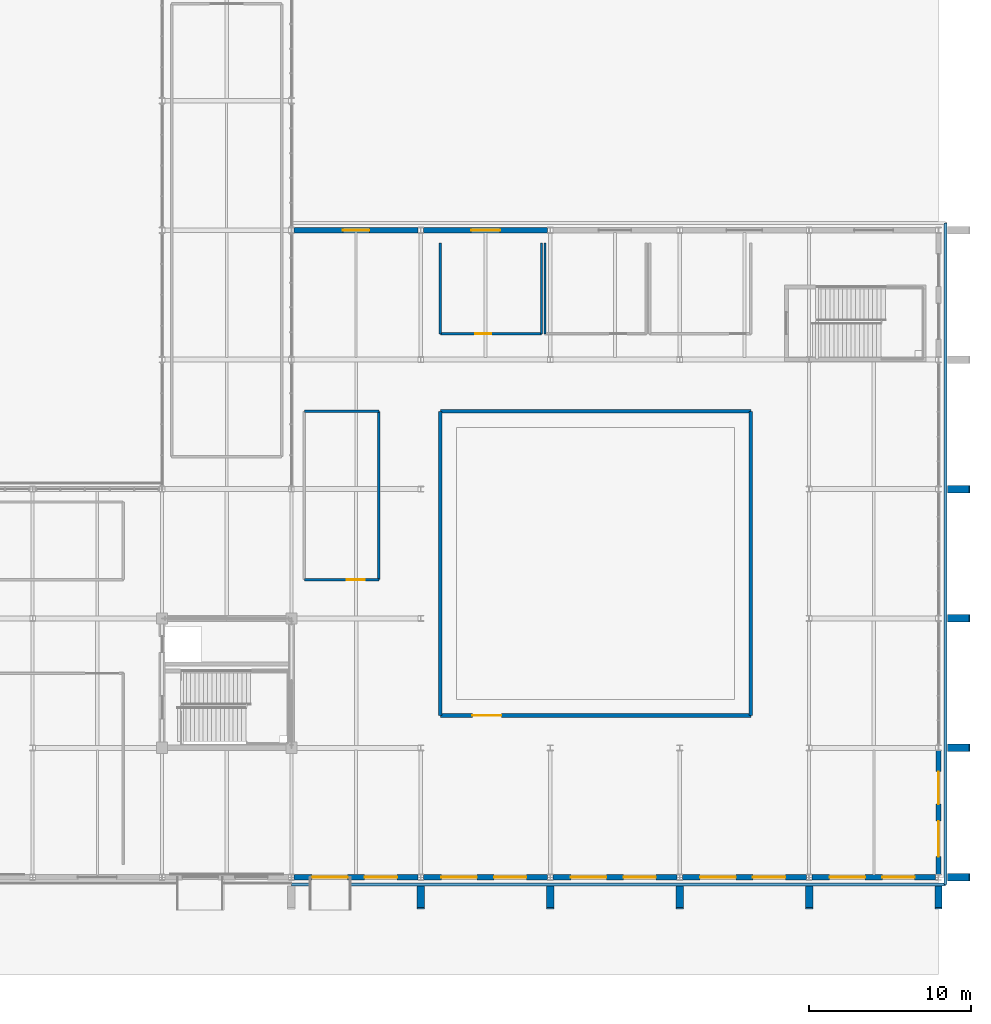
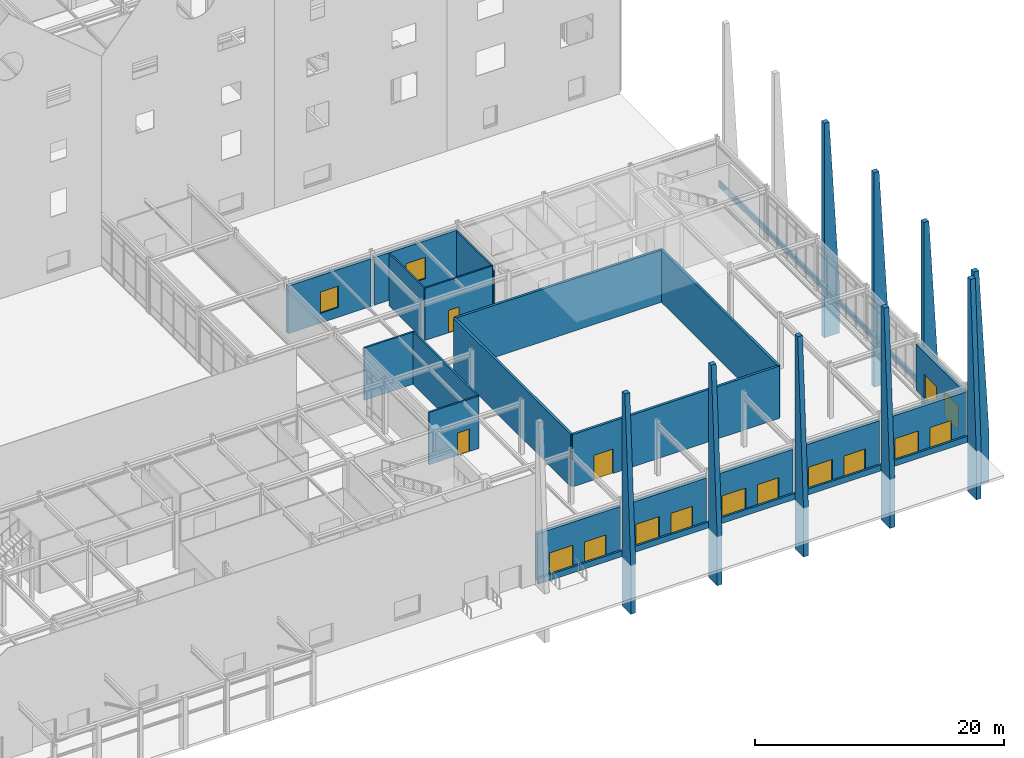
# One storey, part 96 of 119: 30 walls, 15 doors, 2 windows, 17 openings.
"""IFC4 building model written with IfcOpenShell, lengths in metres."""

from ifc_helpers import new_model, si_unit, direction, frame, frame_2d, origin, place, context, subcontext, project, spatial, polyline, rectangle, outline, extrude, material, layer, layer_set, type_object, element, fill, save


model = new_model("IFC4")

# Units and contexts
model_context = context("Model", 3, precision=1e-05, world=origin(), true_north=direction((0.0, 1.0)))
body_context = subcontext(model_context, "Body", "Model", "MODEL_VIEW")
ifc_project = project(units=[si_unit("LENGTHUNIT", "METRE"), si_unit("AREAUNIT", "SQUARE_METRE"), si_unit("VOLUMEUNIT", "CUBIC_METRE"), si_unit("PLANEANGLEUNIT", "RADIAN"), si_unit("MASSUNIT", "GRAM", prefix="KILO")], contexts=[model_context])

# Site, building, storey
site_placement = place(None, origin())
site = spatial("IfcSite", under=ifc_project, at=site_placement, CompositionType="ELEMENT")
building_placement = place(site_placement, origin())
building = spatial("IfcBuilding", under=site, at=building_placement, Name="Zhaolan Boulevard Law Courts", CompositionType="ELEMENT")
storey_placement = place(building_placement, origin())
storey = spatial("IfcBuildingStorey", under=building, at=storey_placement, Name="L00", CompositionType="ELEMENT", Elevation=0.0)

# Walls
ifc_material_1 = material(Name="Concrete C40", Category="concrete")
ifc_layer_1 = layer(ifc_material_1, 0.179931640625)
ifc_layer_set_1 = layer_set([ifc_layer_1])
wall_type_1 = type_object("IfcWallType", Name="EXT WALL ARCH CLAD180", PredefinedType="SOLIDWALL", material=ifc_layer_set_1)
wall_1_placement = place(storey_placement, frame((124.0, 5.56005859375, 0.0), z_axis=(0.0, 0.0, 1.0), x_axis=(1.0, 0.0, 0.0)))
element("IfcWall", 1, at=wall_1_placement, inside=storey, type_object=wall_type_1, Name="Architectural Concrete Spandrel Band CBW-001", PredefinedType="SOLIDWALL", context=body_context, shape_type="SweptSolid", body=[
    extrude(rectangle(XDim=40.43994140625, YDim=0.179931640625, at=frame_2d((20.219970703125, 0.0))), origin(), (0.0, 0.0, 1.0), 0.580078125),
])
wall_2_placement = place(storey_placement, frame((164.43994140625, 5.56005859375, 0.0), z_axis=(0.0, 0.0, 1.0), x_axis=(0.0, 1.0, 0.0)))
element("IfcWall", 2, at=wall_2_placement, inside=storey, type_object=wall_type_1, Name="Architectural Concrete Spandrel Band CBW-004", PredefinedType="SOLIDWALL", context=body_context, shape_type="SweptSolid", body=[
    extrude(rectangle(XDim=40.8798828125, YDim=0.179931640625, at=frame_2d((20.43994140625, 0.0))), origin(), (0.0, 0.0, 1.0), 0.580078125),
])
ifc_material_2 = material(Name="Concrete C40", Category="concrete")
ifc_layer_2 = layer(ifc_material_2, 0.4599609375)
ifc_layer_set_2 = layer_set([ifc_layer_2])
wall_type_2 = type_object("IfcWallType", Name="EXT WALL BUTTRESS460", PredefinedType="SOLIDWALL", material=ifc_layer_set_2)
for number, where, z_axis, x_axis, name in (
    (3, (132.0, 5.449951171875, -4.800048828125), (0.0, 0.0, 1.0), (0.0, -1.0, 0.0), "Sculpted Battered Concrete Buttress BTR-011"),
    (4, (140.0, 5.449951171875, -4.800048828125), (0.0, 0.0, 1.0), (0.0, -1.0, 0.0), "Sculpted Battered Concrete Buttress BTR-012"),
    (5, (148.0, 5.449951171875, -4.800048828125), (0.0, 0.0, 1.0), (0.0, -1.0, 0.0), "Sculpted Battered Concrete Buttress BTR-013"),
    (6, (156.0, 5.449951171875, -4.800048828125), (0.0, 0.0, 1.0), (0.0, -1.0, 0.0), "Sculpted Battered Concrete Buttress BTR-014"),
    (7, (164.0, 5.449951171875, -4.800048828125), (0.0, 0.0, 1.0), (0.0, -1.0, 0.0), "Sculpted Battered Concrete Buttress BTR-015"),
    (8, (164.550048828125, 6.0, -4.800048828125), (0.0, 0.0, 1.0), (1.0, 0.0, 0.0), "Sculpted Battered Concrete Buttress BTR-016"),
    (9, (164.550048828125, 14.0, -4.800048828125), (0.0, 0.0, 1.0), (1.0, 0.0, 0.0), "Sculpted Battered Concrete Buttress BTR-017"),
    (10, (164.550048828125, 22.0, -4.800048828125), (0.0, 0.0, 1.0), (1.0, 0.0, 0.0), "Sculpted Battered Concrete Buttress BTR-018"),
    (11, (164.550048828125, 30.0, -4.800048828125), (0.0, 0.0, 1.0), (1.0, 0.0, 0.0), "Sculpted Battered Concrete Buttress BTR-019"),
):
    element("IfcWall", number, at=place(storey_placement, frame(where, z_axis=z_axis, x_axis=x_axis)), inside=storey, type_object=wall_type_2, Name=name, PredefinedType="SOLIDWALL", context=body_context, shape_type="SweptSolid", body=[
        extrude(outline(polyline([(0.0, 0.0), (1.39990234375, 0.0), (1.39990234375, 4.800048828125), (0.449951171875, 21.0), (0.0, 21.0), (0.0, 0.0)])), frame((0.0, 0.22998046875, 0.0), z_axis=(0.0, -1.0, 0.0), x_axis=(1.0, 0.0, 0.0)), (0.0, 0.0, 1.0), 0.4599609375),
    ])

# Wall, openings, doors
ifc_material_3 = material(Name="Concrete C40", Category="concrete")
ifc_layer_3 = layer(ifc_material_3, 0.320068359375)
ifc_layer_set_3 = layer_set([ifc_layer_3])
wall_type_3 = type_object("IfcWallType", Name="EXT WALL CONCRETE320", PredefinedType="SOLIDWALL", material=ifc_layer_set_3)
wall_3_placement = place(storey_placement, frame((124.1708984375, 6.0, 0.0), z_axis=(0.0, 0.0, 1.0), x_axis=(1.0, 0.0, 0.0)))
wall_3 = element("IfcWall", 12, at=wall_3_placement, inside=storey, type_object=wall_type_3, Name="Exterior Wall EW-L00-143", PredefinedType="SOLIDWALL", context=body_context, shape_type="SweptSolid", body=[
    extrude(rectangle(XDim=7.658203125, YDim=0.320068359375, at=frame_2d((3.8291015625, 0.0))), origin(), (0.0, 0.0, 1.0), 4.6630859375),
])
opening_1_placement = place(wall_3_placement, frame((1.09912109375, 0.0, 0.0)))
opening_1 = element("IfcOpeningElement", 13, at=opening_1_placement, cuts=wall_3, Name="Opening ED-25", PredefinedType="OPENING", context=body_context, shape_type="SweptSolid", body=[
    extrude(rectangle(XDim=2.199951171875, YDim=2.39990234375, at=frame_2d((1.10009765625, 1.199951171875))), frame((0.0, 0.169921875, 0.0), z_axis=(0.0, -1.0, 0.0), x_axis=(1.0, 0.0, 0.0)), (0.0, 0.0, 1.0), 0.340087890625),
])
opening_2_placement = place(wall_3_placement, frame((4.35888671875, 0.0, 0.0)))
opening_2 = element("IfcOpeningElement", 14, at=opening_2_placement, cuts=wall_3, Name="Opening ED-26", PredefinedType="OPENING", context=body_context, shape_type="SweptSolid", body=[
    extrude(rectangle(XDim=2.0, YDim=2.35009765625, at=frame_2d((1.0, 1.175048828125))), frame((0.0, 0.169921875, 0.0), z_axis=(0.0, -1.0, 0.0), x_axis=(1.0, 0.0, 0.0)), (0.0, 0.0, 1.0), 0.340087890625),
])
ifc_material_4 = material(Name="Insulated powder-coated steel and safety glass", Category="steel")
door_type_1 = type_object("IfcDoorType", Name="EXIT DOOR 2000X2350 R", OperationType="DOUBLE_DOOR_SINGLE_SWING", PredefinedType="DOOR", material=ifc_material_4)
door_1_placement = place(opening_2_placement, origin())
door_1 = element("IfcDoor", 15, at=door_1_placement, inside=storey, type_object=door_type_1, Name="Pedestrian Final Exit Door ED-26", OperationType="DOUBLE_DOOR_SINGLE_SWING", OverallHeight=2.35009765625, OverallWidth=2.0, PredefinedType="DOOR", context=body_context, shape_type="SweptSolid", body=[
    extrude(rectangle(XDim=2.0, YDim=2.35009765625, at=frame_2d((1.0, 1.175048828125))), frame((0.0, 0.02490234375, 0.0), z_axis=(0.0, -1.0, 0.0), x_axis=(1.0, 0.0, 0.0)), (0.0, 0.0, 1.0), 0.050048828125),
])
fill(opening_2, door_1)
ifc_material_5 = material(Name="Insulated powder-coated steel and safety glass", Category="steel")
door_type_2 = type_object("IfcDoorType", Name="EXIT DOOR 2200X2400 L", OperationType="DOUBLE_DOOR_SINGLE_SWING", PredefinedType="DOOR", material=ifc_material_5)
door_2_placement = place(opening_1_placement, origin())
door_2 = element("IfcDoor", 16, at=door_2_placement, inside=storey, type_object=door_type_2, Name="Pedestrian Final Exit Door ED-25", OperationType="DOUBLE_DOOR_SINGLE_SWING", OverallHeight=2.39990234375, OverallWidth=2.199951171875, PredefinedType="DOOR", context=body_context, shape_type="SweptSolid", body=[
    extrude(rectangle(XDim=2.199951171875, YDim=2.39990234375, at=frame_2d((1.10009765625, 1.199951171875))), frame((0.0, 0.02490234375, 0.0), z_axis=(0.0, -1.0, 0.0), x_axis=(1.0, 0.0, 0.0)), (0.0, 0.0, 1.0), 0.050048828125),
])
fill(opening_1, door_2)

wall_4_placement = place(storey_placement, frame((132.1708984375, 6.0, 0.0), z_axis=(0.0, 0.0, 1.0), x_axis=(1.0, 0.0, 0.0)))
wall_4 = element("IfcWall", 17, at=wall_4_placement, inside=storey, type_object=wall_type_3, Name="Exterior Wall EW-L00-144", PredefinedType="SOLIDWALL", context=body_context, shape_type="SweptSolid", body=[
    extrude(rectangle(XDim=7.658203125, YDim=0.320068359375, at=frame_2d((3.8291015625, 0.0))), origin(), (0.0, 0.0, 1.0), 4.6630859375),
])
opening_3_placement = place(wall_4_placement, frame((1.09912109375, 0.0, 0.0)))
opening_3 = element("IfcOpeningElement", 18, at=opening_3_placement, cuts=wall_4, Name="Opening ED-27", PredefinedType="OPENING", context=body_context, shape_type="SweptSolid", body=[
    extrude(rectangle(XDim=2.199951171875, YDim=2.39990234375, at=frame_2d((1.10009765625, 1.199951171875))), frame((0.0, 0.169921875, 0.0), z_axis=(0.0, -1.0, 0.0), x_axis=(1.0, 0.0, 0.0)), (0.0, 0.0, 1.0), 0.340087890625),
])
opening_4_placement = place(wall_4_placement, frame((4.35888671875, 0.0, 0.0)))
opening_4 = element("IfcOpeningElement", 19, at=opening_4_placement, cuts=wall_4, Name="Opening ED-28", PredefinedType="OPENING", context=body_context, shape_type="SweptSolid", body=[
    extrude(rectangle(XDim=2.0, YDim=2.35009765625, at=frame_2d((1.0, 1.175048828125))), frame((0.0, 0.169921875, 0.0), z_axis=(0.0, -1.0, 0.0), x_axis=(1.0, 0.0, 0.0)), (0.0, 0.0, 1.0), 0.340087890625),
])
door_3_placement = place(opening_4_placement, origin())
door_3 = element("IfcDoor", 20, at=door_3_placement, inside=storey, type_object=door_type_1, Name="Pedestrian Final Exit Door ED-28", OperationType="DOUBLE_DOOR_SINGLE_SWING", OverallHeight=2.35009765625, OverallWidth=2.0, PredefinedType="DOOR", context=body_context, shape_type="SweptSolid", body=[
    extrude(rectangle(XDim=2.0, YDim=2.35009765625, at=frame_2d((1.0, 1.175048828125))), frame((0.0, 0.02490234375, 0.0), z_axis=(0.0, -1.0, 0.0), x_axis=(1.0, 0.0, 0.0)), (0.0, 0.0, 1.0), 0.050048828125),
])
fill(opening_4, door_3)
door_4_placement = place(opening_3_placement, origin())
door_4 = element("IfcDoor", 21, at=door_4_placement, inside=storey, type_object=door_type_2, Name="Pedestrian Final Exit Door ED-27", OperationType="DOUBLE_DOOR_SINGLE_SWING", OverallHeight=2.39990234375, OverallWidth=2.199951171875, PredefinedType="DOOR", context=body_context, shape_type="SweptSolid", body=[
    extrude(rectangle(XDim=2.199951171875, YDim=2.39990234375, at=frame_2d((1.10009765625, 1.199951171875))), frame((0.0, 0.02490234375, 0.0), z_axis=(0.0, -1.0, 0.0), x_axis=(1.0, 0.0, 0.0)), (0.0, 0.0, 1.0), 0.050048828125),
])
fill(opening_3, door_4)

wall_5_placement = place(storey_placement, frame((140.1708984375, 6.0, 0.0), z_axis=(0.0, 0.0, 1.0), x_axis=(1.0, 0.0, 0.0)))
wall_5 = element("IfcWall", 22, at=wall_5_placement, inside=storey, type_object=wall_type_3, Name="Exterior Wall EW-L00-145", PredefinedType="SOLIDWALL", context=body_context, shape_type="SweptSolid", body=[
    extrude(rectangle(XDim=7.658203125, YDim=0.320068359375, at=frame_2d((3.8291015625, 0.0))), origin(), (0.0, 0.0, 1.0), 4.6630859375),
])
opening_5_placement = place(wall_5_placement, frame((1.09912109375, 0.0, 0.0)))
opening_5 = element("IfcOpeningElement", 23, at=opening_5_placement, cuts=wall_5, Name="Opening ED-29", PredefinedType="OPENING", context=body_context, shape_type="SweptSolid", body=[
    extrude(rectangle(XDim=2.199951171875, YDim=2.39990234375, at=frame_2d((1.10009765625, 1.199951171875))), frame((0.0, 0.169921875, 0.0), z_axis=(0.0, -1.0, 0.0), x_axis=(1.0, 0.0, 0.0)), (0.0, 0.0, 1.0), 0.340087890625),
])
opening_6_placement = place(wall_5_placement, frame((4.35888671875, 0.0, 0.0)))
opening_6 = element("IfcOpeningElement", 24, at=opening_6_placement, cuts=wall_5, Name="Opening ED-30", PredefinedType="OPENING", context=body_context, shape_type="SweptSolid", body=[
    extrude(rectangle(XDim=2.0, YDim=2.35009765625, at=frame_2d((1.0, 1.175048828125))), frame((0.0, 0.169921875, 0.0), z_axis=(0.0, -1.0, 0.0), x_axis=(1.0, 0.0, 0.0)), (0.0, 0.0, 1.0), 0.340087890625),
])
door_5_placement = place(opening_6_placement, origin())
door_5 = element("IfcDoor", 25, at=door_5_placement, inside=storey, type_object=door_type_1, Name="Pedestrian Final Exit Door ED-30", OperationType="DOUBLE_DOOR_SINGLE_SWING", OverallHeight=2.35009765625, OverallWidth=2.0, PredefinedType="DOOR", context=body_context, shape_type="SweptSolid", body=[
    extrude(rectangle(XDim=2.0, YDim=2.35009765625, at=frame_2d((1.0, 1.175048828125))), frame((0.0, 0.02490234375, 0.0), z_axis=(0.0, -1.0, 0.0), x_axis=(1.0, 0.0, 0.0)), (0.0, 0.0, 1.0), 0.050048828125),
])
fill(opening_6, door_5)
door_6_placement = place(opening_5_placement, origin())
door_6 = element("IfcDoor", 26, at=door_6_placement, inside=storey, type_object=door_type_2, Name="Pedestrian Final Exit Door ED-29", OperationType="DOUBLE_DOOR_SINGLE_SWING", OverallHeight=2.39990234375, OverallWidth=2.199951171875, PredefinedType="DOOR", context=body_context, shape_type="SweptSolid", body=[
    extrude(rectangle(XDim=2.199951171875, YDim=2.39990234375, at=frame_2d((1.10009765625, 1.199951171875))), frame((0.0, 0.02490234375, 0.0), z_axis=(0.0, -1.0, 0.0), x_axis=(1.0, 0.0, 0.0)), (0.0, 0.0, 1.0), 0.050048828125),
])
fill(opening_5, door_6)

wall_6_placement = place(storey_placement, frame((148.1708984375, 6.0, 0.0), z_axis=(0.0, 0.0, 1.0), x_axis=(1.0, 0.0, 0.0)))
wall_6 = element("IfcWall", 27, at=wall_6_placement, inside=storey, type_object=wall_type_3, Name="Exterior Wall EW-L00-146", PredefinedType="SOLIDWALL", context=body_context, shape_type="SweptSolid", body=[
    extrude(rectangle(XDim=7.658203125, YDim=0.320068359375, at=frame_2d((3.8291015625, 0.0))), origin(), (0.0, 0.0, 1.0), 4.6630859375),
])
opening_7_placement = place(wall_6_placement, frame((1.09912109375, 0.0, 0.0)))
opening_7 = element("IfcOpeningElement", 28, at=opening_7_placement, cuts=wall_6, Name="Opening ED-31", PredefinedType="OPENING", context=body_context, shape_type="SweptSolid", body=[
    extrude(rectangle(XDim=2.199951171875, YDim=2.39990234375, at=frame_2d((1.10009765625, 1.199951171875))), frame((0.0, 0.169921875, 0.0), z_axis=(0.0, -1.0, 0.0), x_axis=(1.0, 0.0, 0.0)), (0.0, 0.0, 1.0), 0.340087890625),
])
opening_8_placement = place(wall_6_placement, frame((4.35888671875, 0.0, 0.0)))
opening_8 = element("IfcOpeningElement", 29, at=opening_8_placement, cuts=wall_6, Name="Opening ED-32", PredefinedType="OPENING", context=body_context, shape_type="SweptSolid", body=[
    extrude(rectangle(XDim=2.0, YDim=2.35009765625, at=frame_2d((1.0, 1.175048828125))), frame((0.0, 0.169921875, 0.0), z_axis=(0.0, -1.0, 0.0), x_axis=(1.0, 0.0, 0.0)), (0.0, 0.0, 1.0), 0.340087890625),
])
door_7_placement = place(opening_8_placement, origin())
door_7 = element("IfcDoor", 30, at=door_7_placement, inside=storey, type_object=door_type_1, Name="Pedestrian Final Exit Door ED-32", OperationType="DOUBLE_DOOR_SINGLE_SWING", OverallHeight=2.35009765625, OverallWidth=2.0, PredefinedType="DOOR", context=body_context, shape_type="SweptSolid", body=[
    extrude(rectangle(XDim=2.0, YDim=2.35009765625, at=frame_2d((1.0, 1.175048828125))), frame((0.0, 0.02490234375, 0.0), z_axis=(0.0, -1.0, 0.0), x_axis=(1.0, 0.0, 0.0)), (0.0, 0.0, 1.0), 0.050048828125),
])
fill(opening_8, door_7)
door_8_placement = place(opening_7_placement, origin())
door_8 = element("IfcDoor", 31, at=door_8_placement, inside=storey, type_object=door_type_2, Name="Pedestrian Final Exit Door ED-31", OperationType="DOUBLE_DOOR_SINGLE_SWING", OverallHeight=2.39990234375, OverallWidth=2.199951171875, PredefinedType="DOOR", context=body_context, shape_type="SweptSolid", body=[
    extrude(rectangle(XDim=2.199951171875, YDim=2.39990234375, at=frame_2d((1.10009765625, 1.199951171875))), frame((0.0, 0.02490234375, 0.0), z_axis=(0.0, -1.0, 0.0), x_axis=(1.0, 0.0, 0.0)), (0.0, 0.0, 1.0), 0.050048828125),
])
fill(opening_7, door_8)

wall_7_placement = place(storey_placement, frame((156.1708984375, 6.0, 0.0), z_axis=(0.0, 0.0, 1.0), x_axis=(1.0, 0.0, 0.0)))
wall_7 = element("IfcWall", 32, at=wall_7_placement, inside=storey, type_object=wall_type_3, Name="Exterior Wall EW-L00-147", PredefinedType="SOLIDWALL", context=body_context, shape_type="SweptSolid", body=[
    extrude(rectangle(XDim=7.658203125, YDim=0.320068359375, at=frame_2d((3.8291015625, 0.0))), origin(), (0.0, 0.0, 1.0), 4.6630859375),
])
opening_9_placement = place(wall_7_placement, frame((1.09912109375, 0.0, 0.0)))
opening_9 = element("IfcOpeningElement", 33, at=opening_9_placement, cuts=wall_7, Name="Opening ED-33", PredefinedType="OPENING", context=body_context, shape_type="SweptSolid", body=[
    extrude(rectangle(XDim=2.199951171875, YDim=2.39990234375, at=frame_2d((1.10009765625, 1.199951171875))), frame((0.0, 0.169921875, 0.0), z_axis=(0.0, -1.0, 0.0), x_axis=(1.0, 0.0, 0.0)), (0.0, 0.0, 1.0), 0.340087890625),
])
opening_10_placement = place(wall_7_placement, frame((4.35888671875, 0.0, 0.0)))
opening_10 = element("IfcOpeningElement", 34, at=opening_10_placement, cuts=wall_7, Name="Opening ED-34", PredefinedType="OPENING", context=body_context, shape_type="SweptSolid", body=[
    extrude(rectangle(XDim=2.0, YDim=2.35009765625, at=frame_2d((1.0, 1.175048828125))), frame((0.0, 0.169921875, 0.0), z_axis=(0.0, -1.0, 0.0), x_axis=(1.0, 0.0, 0.0)), (0.0, 0.0, 1.0), 0.340087890625),
])
door_9_placement = place(opening_10_placement, origin())
door_9 = element("IfcDoor", 35, at=door_9_placement, inside=storey, type_object=door_type_1, Name="Pedestrian Final Exit Door ED-34", OperationType="DOUBLE_DOOR_SINGLE_SWING", OverallHeight=2.35009765625, OverallWidth=2.0, PredefinedType="DOOR", context=body_context, shape_type="SweptSolid", body=[
    extrude(rectangle(XDim=2.0, YDim=2.35009765625, at=frame_2d((1.0, 1.175048828125))), frame((0.0, 0.02490234375, 0.0), z_axis=(0.0, -1.0, 0.0), x_axis=(1.0, 0.0, 0.0)), (0.0, 0.0, 1.0), 0.050048828125),
])
fill(opening_10, door_9)
door_10_placement = place(opening_9_placement, origin())
door_10 = element("IfcDoor", 36, at=door_10_placement, inside=storey, type_object=door_type_2, Name="Pedestrian Final Exit Door ED-33", OperationType="DOUBLE_DOOR_SINGLE_SWING", OverallHeight=2.39990234375, OverallWidth=2.199951171875, PredefinedType="DOOR", context=body_context, shape_type="SweptSolid", body=[
    extrude(rectangle(XDim=2.199951171875, YDim=2.39990234375, at=frame_2d((1.10009765625, 1.199951171875))), frame((0.0, 0.02490234375, 0.0), z_axis=(0.0, -1.0, 0.0), x_axis=(1.0, 0.0, 0.0)), (0.0, 0.0, 1.0), 0.050048828125),
])
fill(opening_9, door_10)

# Wall, opening, window
wall_8_placement = place(storey_placement, frame((131.8291015625, 46.0, 0.0), z_axis=(0.0, 0.0, 1.0), x_axis=(-1.0, 0.0, 0.0)))
wall_8 = element("IfcWall", 37, at=wall_8_placement, inside=storey, type_object=wall_type_3, Name="Exterior Wall EW-L00-148", PredefinedType="SOLIDWALL", context=body_context, shape_type="SweptSolid", body=[
    extrude(rectangle(XDim=7.658203125, YDim=0.320068359375, at=frame_2d((3.8291015625, 0.0))), origin(), (0.0, 0.0, 1.0), 4.6630859375),
])
opening_11_placement = place(wall_8_placement, frame((3.00390625, 0.0, 0.949951171875)))
opening_11 = element("IfcOpeningElement", 38, at=opening_11_placement, cuts=wall_8, Name="Opening WIN-L00-011", PredefinedType="OPENING", context=body_context, shape_type="SweptSolid", body=[
    extrude(rectangle(XDim=1.64990234375, YDim=2.10009765625, at=frame_2d((0.824951171875, 1.050048828125))), frame((0.0, 0.169921875, 0.0), z_axis=(0.0, -1.0, 0.0), x_axis=(1.0, 0.0, 0.0)), (0.0, 0.0, 1.0), 0.340087890625),
])
ifc_material_6 = material(Name="Thermally broken aluminium and low-E glazing", Category="aluminium")
window_type_1 = type_object("IfcWindowType", Name="WINDOW 1650X2100", PartitioningType="SINGLE_PANEL", PredefinedType="WINDOW", material=ifc_material_6)
window_1_placement = place(opening_11_placement, origin())
window_1 = element("IfcWindow", 39, at=window_1_placement, inside=storey, type_object=window_type_1, Name="Exterior Window WIN-L00-011", OverallHeight=2.10009765625, OverallWidth=1.64990234375, PartitioningType="SINGLE_PANEL", PredefinedType="WINDOW", context=body_context, shape_type="SweptSolid", body=[
    extrude(rectangle(XDim=1.64990234375, YDim=2.10009765625, at=frame_2d((0.824951171875, 1.050048828125))), frame((0.0, 0.030029296875, 0.0), z_axis=(0.0, -1.0, 0.0), x_axis=(1.0, 0.0, 0.0)), (0.0, 0.0, 1.0), 0.06005859375),
])
fill(opening_11, window_1)

wall_9_placement = place(storey_placement, frame((139.8291015625, 46.0, 0.0), z_axis=(0.0, 0.0, 1.0), x_axis=(-1.0, 0.0, 0.0)))
wall_9 = element("IfcWall", 40, at=wall_9_placement, inside=storey, type_object=wall_type_3, Name="Exterior Wall EW-L00-149", PredefinedType="SOLIDWALL", context=body_context, shape_type="SweptSolid", body=[
    extrude(rectangle(XDim=7.658203125, YDim=0.320068359375, at=frame_2d((3.8291015625, 0.0))), origin(), (0.0, 0.0, 1.0), 4.6630859375),
])
opening_12_placement = place(wall_9_placement, frame((2.928955078125, 0.0, 0.949951171875)))
opening_12 = element("IfcOpeningElement", 41, at=opening_12_placement, cuts=wall_9, Name="Opening WIN-L00-012", PredefinedType="OPENING", context=body_context, shape_type="SweptSolid", body=[
    extrude(rectangle(XDim=1.800048828125, YDim=2.10009765625, at=frame_2d((0.89990234375, 1.050048828125))), frame((0.0, 0.169921875, 0.0), z_axis=(0.0, -1.0, 0.0), x_axis=(1.0, 0.0, 0.0)), (0.0, 0.0, 1.0), 0.340087890625),
])
ifc_material_7 = material(Name="Thermally broken aluminium and low-E glazing", Category="aluminium")
window_type_2 = type_object("IfcWindowType", Name="WINDOW 1800X2100", PartitioningType="DOUBLE_PANEL_VERTICAL", PredefinedType="WINDOW", material=ifc_material_7)
window_2_placement = place(opening_12_placement, origin())
window_2 = element("IfcWindow", 42, at=window_2_placement, inside=storey, type_object=window_type_2, Name="Exterior Window WIN-L00-012", OverallHeight=2.10009765625, OverallWidth=1.800048828125, PartitioningType="SINGLE_PANEL", PredefinedType="WINDOW", context=body_context, shape_type="SweptSolid", body=[
    extrude(rectangle(XDim=1.800048828125, YDim=2.10009765625, at=frame_2d((0.89990234375, 1.050048828125))), frame((0.0, 0.030029296875, 0.0), z_axis=(0.0, -1.0, 0.0), x_axis=(1.0, 0.0, 0.0)), (0.0, 0.0, 1.0), 0.06005859375),
])
fill(opening_12, window_2)

# Wall, openings, doors
wall_10_placement = place(storey_placement, frame((164.0, 6.1708984375, 0.0), z_axis=(0.0, 0.0, 1.0), x_axis=(0.0, 1.0, 0.0)))
wall_10 = element("IfcWall", 43, at=wall_10_placement, inside=storey, type_object=wall_type_3, Name="Exterior Wall EW-L00-153", PredefinedType="SOLIDWALL", context=body_context, shape_type="SweptSolid", body=[
    extrude(rectangle(XDim=7.658203125, YDim=0.320068359375, at=frame_2d((3.8291015625, 0.0))), origin(), (0.0, 0.0, 1.0), 4.5029296875),
])
opening_13_placement = place(wall_10_placement, frame((1.09912109375, 0.0, 0.0)))
opening_13 = element("IfcOpeningElement", 44, at=opening_13_placement, cuts=wall_10, Name="Opening ED-35", PredefinedType="OPENING", context=body_context, shape_type="SweptSolid", body=[
    extrude(rectangle(XDim=2.199951171875, YDim=2.39990234375, at=frame_2d((1.10009765625, 1.199951171875))), frame((0.0, 0.169921875, 0.0), z_axis=(0.0, -1.0, 0.0), x_axis=(1.0, 0.0, 0.0)), (0.0, 0.0, 1.0), 0.340087890625),
])
opening_14_placement = place(wall_10_placement, frame((4.35888671875, 0.0, 0.0)))
opening_14 = element("IfcOpeningElement", 45, at=opening_14_placement, cuts=wall_10, Name="Opening ED-36", PredefinedType="OPENING", context=body_context, shape_type="SweptSolid", body=[
    extrude(rectangle(XDim=2.0, YDim=2.35009765625, at=frame_2d((1.0, 1.175048828125))), frame((0.0, 0.169921875, 0.0), z_axis=(0.0, -1.0, 0.0), x_axis=(1.0, 0.0, 0.0)), (0.0, 0.0, 1.0), 0.340087890625),
])
door_11_placement = place(opening_14_placement, origin())
door_11 = element("IfcDoor", 46, at=door_11_placement, inside=storey, type_object=door_type_1, Name="Pedestrian Final Exit Door ED-36", OperationType="DOUBLE_DOOR_SINGLE_SWING", OverallHeight=2.35009765625, OverallWidth=2.0, PredefinedType="DOOR", context=body_context, shape_type="SweptSolid", body=[
    extrude(rectangle(XDim=2.0, YDim=2.35009765625, at=frame_2d((1.0, 1.175048828125))), frame((0.0, 0.02490234375, 0.0), z_axis=(0.0, -1.0, 0.0), x_axis=(1.0, 0.0, 0.0)), (0.0, 0.0, 1.0), 0.050048828125),
])
fill(opening_14, door_11)
door_12_placement = place(opening_13_placement, origin())
door_12 = element("IfcDoor", 47, at=door_12_placement, inside=storey, type_object=door_type_2, Name="Pedestrian Final Exit Door ED-35", OperationType="DOUBLE_DOOR_SINGLE_SWING", OverallHeight=2.39990234375, OverallWidth=2.199951171875, PredefinedType="DOOR", context=body_context, shape_type="SweptSolid", body=[
    extrude(rectangle(XDim=2.199951171875, YDim=2.39990234375, at=frame_2d((1.10009765625, 1.199951171875))), frame((0.0, 0.02490234375, 0.0), z_axis=(0.0, -1.0, 0.0), x_axis=(1.0, 0.0, 0.0)), (0.0, 0.0, 1.0), 0.050048828125),
])
fill(opening_13, door_12)

# Wall, opening, door
ifc_material_8 = material(Name="Fire-rated gypsum stud partition")
ifc_layer_4 = layer(ifc_material_8, 0.159912109375)
ifc_layer_set_4 = layer_set([ifc_layer_4])
wall_type_4 = type_object("IfcWallType", Name="PART WALL CHAMB160", PredefinedType="PARTITIONING", material=ifc_layer_set_4)
wall_11_placement = place(storey_placement, frame((124.800048828125, 24.39990234375, 0.0), z_axis=(0.0, 0.0, 1.0), x_axis=(1.0, 0.0, 0.0)))
wall_11 = element("IfcWall", 48, at=wall_11_placement, inside=storey, type_object=wall_type_4, Name="Interior Partition PW-L00-255", PredefinedType="PARTITIONING", context=body_context, shape_type="SweptSolid", body=[
    extrude(rectangle(XDim=4.599853515625, YDim=0.159912109375, at=frame_2d((2.2998046875, 0.0))), origin(), (0.0, 0.0, 1.0), 5.1201171875),
])
opening_15_placement = place(wall_11_placement, frame((2.60400390625, 0.0, 0.0)))
opening_15 = element("IfcOpeningElement", 49, at=opening_15_placement, cuts=wall_11, Name="Opening JR-L00-076", PredefinedType="OPENING", context=body_context, shape_type="SweptSolid", body=[
    extrude(rectangle(XDim=1.1201171875, YDim=2.199951171875, at=frame_2d((0.56005859375, 1.10009765625))), frame((0.0, 0.08984375, 0.0), z_axis=(0.0, -1.0, 0.0), x_axis=(1.0, 0.0, 0.0)), (0.0, 0.0, 1.0), 0.179931640625),
])
ifc_material_9 = material(Name="Solid-core acoustic oak veneer door")
door_type_3 = type_object("IfcDoorType", Name="JURY DOOR 1120X2200 R", OperationType="SINGLE_SWING_RIGHT", PredefinedType="DOOR", material=ifc_material_9)
door_13_placement = place(opening_15_placement, origin())
door_13 = element("IfcDoor", 50, at=door_13_placement, inside=storey, type_object=door_type_3, Name="Door JR-L00-076 (Jury Room Ceremonial)", OperationType="SINGLE_SWING_RIGHT", OverallHeight=2.199951171875, OverallWidth=1.1201171875, PredefinedType="DOOR", context=body_context, shape_type="SweptSolid", body=[
    extrude(rectangle(XDim=1.1201171875, YDim=2.199951171875, at=frame_2d((0.56005859375, 1.10009765625))), frame((0.0, 0.02490234375, 0.0), z_axis=(0.0, -1.0, 0.0), x_axis=(1.0, 0.0, 0.0)), (0.0, 0.0, 1.0), 0.050048828125),
])
fill(opening_15, door_13)

# Walls
wall_12_placement = place(storey_placement, frame((129.39990234375, 34.800048828125, 0.0), z_axis=(0.0, 0.0, 1.0), x_axis=(-1.0, 0.0, 0.0)))
element("IfcWall", 51, at=wall_12_placement, inside=storey, type_object=wall_type_4, Name="Interior Partition PW-L00-256", PredefinedType="PARTITIONING", context=body_context, shape_type="SweptSolid", body=[
    extrude(rectangle(XDim=4.599853515625, YDim=0.159912109375, at=frame_2d((2.2998046875, 0.0))), origin(), (0.0, 0.0, 1.0), 5.1201171875),
])
wall_13_placement = place(storey_placement, frame((129.39990234375, 24.39990234375, 0.0), z_axis=(0.0, 0.0, 1.0), x_axis=(0.0, 1.0, 0.0)))
element("IfcWall", 52, at=wall_13_placement, inside=storey, type_object=wall_type_4, Name="Interior Partition PW-L00-258", PredefinedType="PARTITIONING", context=body_context, shape_type="SweptSolid", body=[
    extrude(rectangle(XDim=10.400146484375, YDim=0.159912109375, at=frame_2d((5.2001953125, 0.0))), origin(), (0.0, 0.0, 1.0), 5.1201171875),
])

# Wall, opening, door
ifc_material_10 = material(Name="Concrete C40", Category="concrete")
ifc_layer_5 = layer(ifc_material_10, 0.219970703125)
ifc_layer_set_5 = layer_set([ifc_layer_5])
wall_type_5 = type_object("IfcWallType", Name="PART WALL COURT220", PredefinedType="PARTITIONING", material=ifc_layer_set_5)
wall_14_placement = place(storey_placement, frame((133.199951171875, 16.0, 0.0), z_axis=(0.0, 0.0, 1.0), x_axis=(1.0, 0.0, 0.0)))
wall_14 = element("IfcWall", 53, at=wall_14_placement, inside=storey, type_object=wall_type_5, Name="Interior Partition PW-L00-251", PredefinedType="PARTITIONING", context=body_context, shape_type="SweptSolid", body=[
    extrude(rectangle(XDim=19.199951171875, YDim=0.219970703125, at=frame_2d((9.60009765625, 0.0))), origin(), (0.0, 0.0, 1.0), 5.1201171875),
])
opening_16_placement = place(wall_14_placement, frame((1.97998046875, 0.0, 0.0)))
opening_16 = element("IfcOpeningElement", 54, at=opening_16_placement, cuts=wall_14, Name="Opening ID-L00-075", PredefinedType="OPENING", context=body_context, shape_type="SweptSolid", body=[
    extrude(rectangle(XDim=1.800048828125, YDim=2.39990234375, at=frame_2d((0.89990234375, 1.199951171875))), frame((0.0, 0.119873046875, 0.0), z_axis=(0.0, -1.0, 0.0), x_axis=(1.0, 0.0, 0.0)), (0.0, 0.0, 1.0), 0.239990234375),
])
ifc_material_11 = material(Name="Solid-core acoustic oak veneer door")
door_type_4 = type_object("IfcDoorType", Name="COURT DOUBLE 1800X2400", OperationType="DOUBLE_DOOR_SINGLE_SWING", PredefinedType="DOOR", material=ifc_material_11)
door_14_placement = place(opening_16_placement, origin())
door_14 = element("IfcDoor", 55, at=door_14_placement, inside=storey, type_object=door_type_4, Name="Door ID-L00-075 (Ceremonial Courtroom)", OperationType="DOUBLE_DOOR_SINGLE_SWING", OverallHeight=2.39990234375, OverallWidth=1.800048828125, PredefinedType="DOOR", context=body_context, shape_type="SweptSolid", body=[
    extrude(rectangle(XDim=1.800048828125, YDim=2.39990234375, at=frame_2d((0.89990234375, 1.199951171875))), frame((0.0, 0.02490234375, 0.0), z_axis=(0.0, -1.0, 0.0), x_axis=(1.0, 0.0, 0.0)), (0.0, 0.0, 1.0), 0.050048828125),
])
fill(opening_16, door_14)

# Walls
wall_15_placement = place(storey_placement, frame((152.39990234375, 34.800048828125, 0.0), z_axis=(0.0, 0.0, 1.0), x_axis=(-1.0, 0.0, 0.0)))
element("IfcWall", 56, at=wall_15_placement, inside=storey, type_object=wall_type_5, Name="Interior Partition PW-L00-252", PredefinedType="PARTITIONING", context=body_context, shape_type="SweptSolid", body=[
    extrude(rectangle(XDim=19.199951171875, YDim=0.219970703125, at=frame_2d((9.60009765625, 0.0))), origin(), (0.0, 0.0, 1.0), 5.1201171875),
])
for number, where, z_axis, x_axis, name in (
    (57, (133.199951171875, 34.800048828125, 0.0), (0.0, 0.0, 1.0), (0.0, -1.0, 0.0), "Interior Partition PW-L00-253"),
    (58, (152.39990234375, 16.0, 0.0), (0.0, 0.0, 1.0), (0.0, 1.0, 0.0), "Interior Partition PW-L00-254"),
):
    element("IfcWall", number, at=place(storey_placement, frame(where, z_axis=z_axis, x_axis=x_axis)), inside=storey, type_object=wall_type_5, Name=name, PredefinedType="PARTITIONING", context=body_context, shape_type="SweptSolid", body=[
        extrude(rectangle(XDim=18.800048828125, YDim=0.219970703125, at=frame_2d((9.39990234375, 0.0))), origin(), (0.0, 0.0, 1.0), 5.1201171875),
    ])
ifc_material_12 = material(Name="Gypsum board stud partition")
ifc_layer_6 = layer(ifc_material_12, 0.1201171875)
ifc_layer_set_6 = layer_set([ifc_layer_6])
wall_type_6 = type_object("IfcWallType", Name="PART WALL LIGHT120", PredefinedType="PARTITIONING", material=ifc_layer_set_6)
wall_16_placement = place(storey_placement, frame((139.673095703125, 45.199951171875, 0.0), z_axis=(0.0, 0.0, 1.0), x_axis=(0.0, -1.0, 0.0)))
element("IfcWall", 59, at=wall_16_placement, inside=storey, type_object=wall_type_6, Name="Interior Partition PW-L00-263", PredefinedType="PARTITIONING", context=body_context, shape_type="SweptSolid", body=[
    extrude(rectangle(XDim=5.599853515625, YDim=0.1201171875, at=frame_2d((2.7998046875, 0.0))), origin(), (0.0, 0.0, 1.0), 4.506103515625),
])

# Wall, opening, door
ifc_material_13 = material(Name="Fire-rated gypsum stud partition")
ifc_layer_7 = layer(ifc_material_13, 0.139892578125)
ifc_layer_set_7 = layer_set([ifc_layer_7])
wall_type_7 = type_object("IfcWallType", Name="PART WALL OFFICE140", PredefinedType="PARTITIONING", material=ifc_layer_set_7)
wall_17_placement = place(storey_placement, frame((133.199951171875, 39.60009765625, 0.0), z_axis=(0.0, 0.0, 1.0), x_axis=(1.0, 0.0, 0.0)))
wall_17 = element("IfcWall", 60, at=wall_17_placement, inside=storey, type_object=wall_type_7, Name="Interior Partition PW-L00-259", PredefinedType="PARTITIONING", context=body_context, shape_type="SweptSolid", body=[
    extrude(rectangle(XDim=6.2529296875, YDim=0.139892578125, at=frame_2d((3.12646484375, 0.0))), origin(), (0.0, 0.0, 1.0), 5.1201171875),
])
opening_17_placement = place(wall_17_placement, frame((2.1689453125, 0.0, 0.0)))
opening_17 = element("IfcOpeningElement", 61, at=opening_17_placement, cuts=wall_17, Name="Opening JD-L00-077", PredefinedType="OPENING", context=body_context, shape_type="SweptSolid", body=[
    extrude(rectangle(XDim=0.97998046875, YDim=2.199951171875, at=frame_2d((0.489990234375, 1.10009765625))), frame((0.0, 0.079833984375, 0.0), z_axis=(0.0, -1.0, 0.0), x_axis=(1.0, 0.0, 0.0)), (0.0, 0.0, 1.0), 0.159912109375),
])
ifc_material_14 = material(Name="Solid-core acoustic oak veneer door")
door_type_5 = type_object("IfcDoorType", Name="CHAMBER DOOR 980X2200 R", OperationType="SINGLE_SWING_RIGHT", PredefinedType="DOOR", material=ifc_material_14)
door_15_placement = place(opening_17_placement, origin())
door_15 = element("IfcDoor", 62, at=door_15_placement, inside=storey, type_object=door_type_5, Name="Door JD-L00-077 (Judges' Chambers L00-01)", OperationType="SINGLE_SWING_RIGHT", OverallHeight=2.199951171875, OverallWidth=0.97998046875, PredefinedType="DOOR", context=body_context, shape_type="SweptSolid", body=[
    extrude(rectangle(XDim=0.97998046875, YDim=2.199951171875, at=frame_2d((0.489990234375, 1.10009765625))), frame((0.0, 0.02490234375, 0.0), z_axis=(0.0, -1.0, 0.0), x_axis=(1.0, 0.0, 0.0)), (0.0, 0.0, 1.0), 0.050048828125),
])
fill(opening_17, door_15)

# Walls
for number, where, z_axis, x_axis, name in (
    (63, (133.199951171875, 45.199951171875, 0.0), (0.0, 0.0, 1.0), (0.0, -1.0, 0.0), "Interior Partition PW-L00-260"),
    (64, (139.452880859375, 39.60009765625, 0.0), (0.0, 0.0, 1.0), (0.0, 1.0, 0.0), "Interior Partition PW-L00-261"),
):
    element("IfcWall", number, at=place(storey_placement, frame(where, z_axis=z_axis, x_axis=x_axis)), inside=storey, type_object=wall_type_7, Name=name, PredefinedType="PARTITIONING", context=body_context, shape_type="SweptSolid", body=[
        extrude(rectangle(XDim=5.599853515625, YDim=0.139892578125, at=frame_2d((2.7998046875, 0.0))), origin(), (0.0, 0.0, 1.0), 5.1201171875),
    ])

save(model, "model.ifc")
